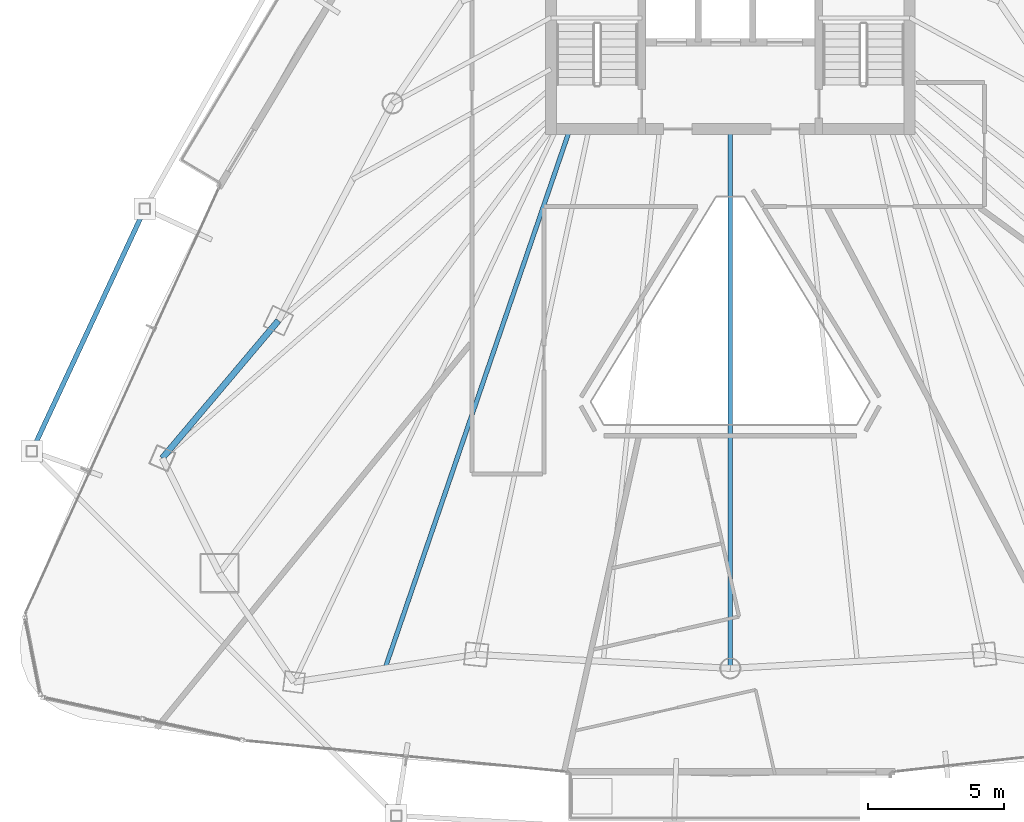
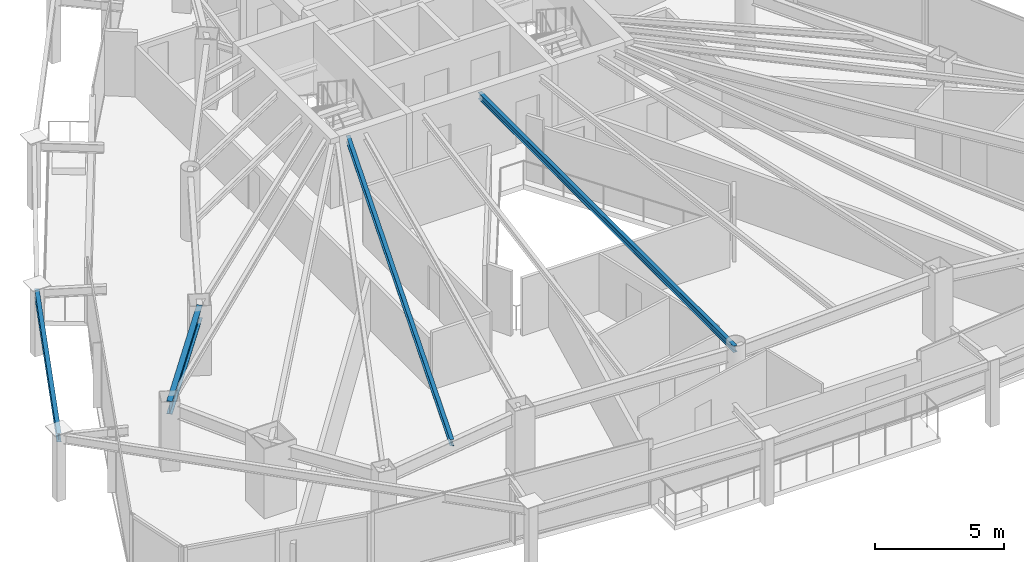
# One storey, part 9 of 33: 4 beams.
"""IFC4 building model written with IfcOpenShell, lengths in metres."""

from ifc_helpers import new_model, si_unit, direction, frame, origin, origin_2d, place, context, subcontext, project, spatial, i_section, extrude, material, material_profile, profile_set, type_object, element, save


model = new_model("IFC4")

# Units and contexts
model_context = context("Model", 3, precision=1e-05, world=origin(), true_north=direction((0.0, 1.0)))
body_context = subcontext(model_context, "Body", "Model", "MODEL_VIEW")
ifc_project = project(units=[si_unit("LENGTHUNIT", "METRE"), si_unit("AREAUNIT", "SQUARE_METRE"), si_unit("VOLUMEUNIT", "CUBIC_METRE"), si_unit("PLANEANGLEUNIT", "RADIAN"), si_unit("MASSUNIT", "GRAM", prefix="KILO")], contexts=[model_context])

# Site, building, storey
site_placement = place(None, origin())
site = spatial("IfcSite", under=ifc_project, at=site_placement, CompositionType="ELEMENT")
building_placement = place(site_placement, origin())
building = spatial("IfcBuilding", under=site, at=building_placement, Name="Orvanel Arch Residences", CompositionType="ELEMENT")
storey_placement = place(building_placement, frame((0.0, 0.0, 123.199951171875)))
storey = spatial("IfcBuildingStorey", under=building, at=storey_placement, Name="L34", CompositionType="ELEMENT", Elevation=123.199951171875)

# Beams
ifc_material = material(Name="Structural steel AS/NZS 3679.1 Grade 300 (300 MPa)", Category="steel")
ifc_material_profile_1 = material_profile(ifc_material, i_section(OverallWidth=0.1650390625, OverallDepth=0.303955078125, WebThickness=0.006103515625, FlangeThickness=0.01025390625, at=origin_2d()), Name="310UB40.4")
ifc_profile_set_1 = profile_set([ifc_material_profile_1], Name="Structural steel AS/NZS 3679.1 Grade 300 (300 MPa)")
beam_type_1 = type_object("IfcBeamType", Name="BJ-310UB", PredefinedType="JOIST", material=ifc_profile_set_1)
beam_1_placement = place(storey_placement, frame((33.0, 26.699951171875, 2.907958984375), z_axis=(0.0, -1.0, 0.0), x_axis=(1.0, 0.0, 0.0)))
element("IfcBeam", 1, at=beam_1_placement, inside=storey, type_object=beam_type_1, Name="L34 SSW Wing Floor Joist", PredefinedType="JOIST", context=body_context, shape_type="SweptSolid", body=[
    extrude(i_section(OverallWidth=0.1650390625, OverallDepth=0.303955078125, WebThickness=0.006103515625, FlangeThickness=0.01025390625, at=origin_2d()), origin(), (0.0, 0.0, 1.0), 19.85595703125),
])
beam_2_placement = place(storey_placement, frame((27.10009765625, 26.699951171875, 2.907958984375), z_axis=(-0.324257108963, -0.945968988544, 0.0), x_axis=(0.945968988544, -0.324257108963, 0.0)))
element("IfcBeam", 2, at=beam_2_placement, inside=storey, type_object=beam_type_1, Name="L34 JADD1 Wing Floor Joist", PredefinedType="JOIST", context=body_context, shape_type="SweptSolid", body=[
    extrude(i_section(OverallWidth=0.1650390625, OverallDepth=0.303955078125, WebThickness=0.006103515625, FlangeThickness=0.01025390625, at=origin_2d()), origin(), (0.0, 0.0, 1.0), 20.987060546875),
])
ifc_material_profile_2 = material_profile(ifc_material, i_section(OverallWidth=0.177978515625, OverallDepth=0.406005859375, WebThickness=0.0078125, FlangeThickness=0.0126953125, at=origin_2d()), Name="410UB59.7")
ifc_profile_set_2 = profile_set([ifc_material_profile_2], Name="Structural steel AS/NZS 3679.1 Grade 300 (300 MPa)")
beam_type_2 = type_object("IfcBeamType", Name="OB-410UB-EXT", PredefinedType="SPANDREL", material=ifc_profile_set_2)
beam_3_placement = place(storey_placement, frame((11.449951171875, 23.757080078125, 2.85693359375), z_axis=(-0.422138837751, -0.906531191776, 0.0), x_axis=(0.906531191776, -0.422138837751, 0.0)))
element("IfcBeam", 3, at=beam_3_placement, inside=storey, type_object=beam_type_2, Name="L34 Outer Perimeter Floor Ring Beam 03", PredefinedType="SPANDREL", context=body_context, shape_type="SweptSolid", body=[
    extrude(i_section(OverallWidth=0.177978515625, OverallDepth=0.406005859375, WebThickness=0.0078125, FlangeThickness=0.0126953125, at=origin_2d()), origin(), (0.0, 0.0, 1.0), 9.847412109375),
])
ifc_material_profile_3 = material_profile(ifc_material, i_section(OverallWidth=0.22900390625, OverallDepth=0.612060546875, WebThickness=0.011962890625, FlangeThickness=0.01953125, at=origin_2d()), Name="610UB125")
ifc_profile_set_3 = profile_set([ifc_material_profile_3], Name="Structural steel AS/NZS 3679.1 Grade 300 (300 MPa)")
beam_type_3 = type_object("IfcBeamType", Name="SP-610UB", PredefinedType="SPANDREL", material=ifc_profile_set_3)
beam_4_placement = place(storey_placement, frame((16.366943359375, 19.64208984375, 2.754150390625), z_axis=(-0.644950329775, -0.764224490659, 0.0), x_axis=(0.764224490659, -0.644950329775, 0.0)))
element("IfcBeam", 4, at=beam_4_placement, inside=storey, type_object=beam_type_3, Name="L34 Perimeter Spandrel Beam 01", PredefinedType="SPANDREL", context=body_context, shape_type="SweptSolid", body=[
    extrude(i_section(OverallWidth=0.22900390625, OverallDepth=0.612060546875, WebThickness=0.011962890625, FlangeThickness=0.01953125, at=origin_2d()), origin(), (0.0, 0.0, 1.0), 6.623779296875),
])

save(model, "model.ifc")
